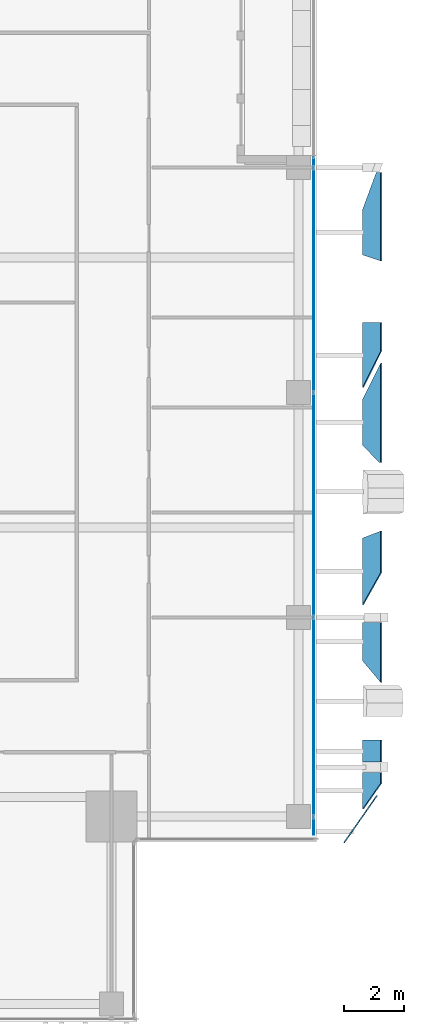
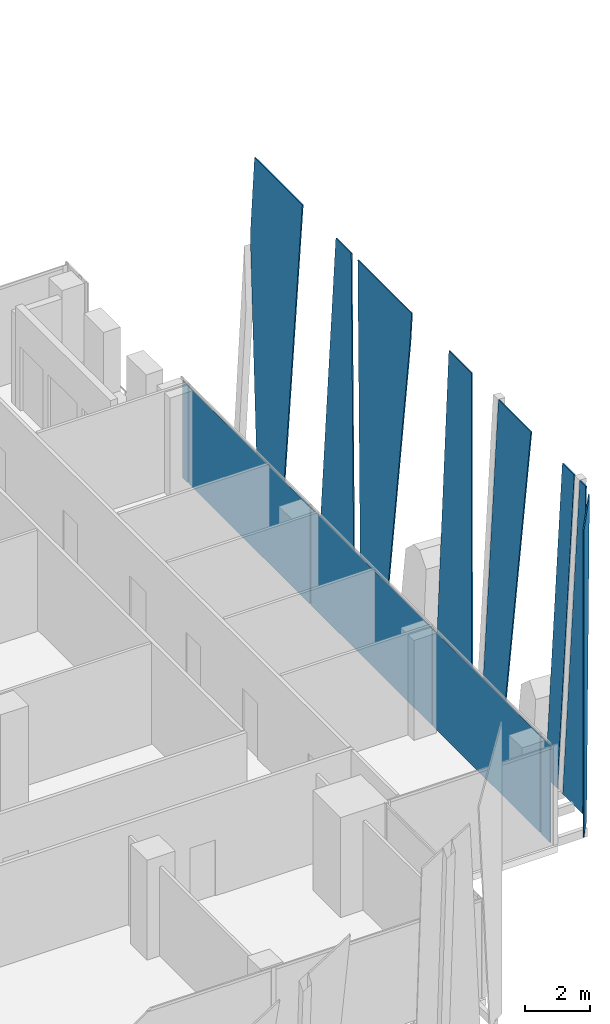
# One storey, part 23 of 33: 13 plates, 1 element without a shape of its own.
"""IFC4 building model written with IfcOpenShell, lengths in metres."""

from ifc_helpers import new_model, si_unit, direction, frame, origin, origin_2d, place, context, subcontext, project, spatial, polyline, rectangle, outline, extrude, source, transform, mapped, material, layer, layer_set, type_object, element, aggregate, save


model = new_model("IFC4")

# Units and contexts
model_context = context("Model", 3, precision=1e-05, world=origin(), true_north=direction((0.0, 1.0)))
body_context = subcontext(model_context, "Body", "Model", "MODEL_VIEW")
ifc_project = project(units=[si_unit("LENGTHUNIT", "METRE"), si_unit("AREAUNIT", "SQUARE_METRE"), si_unit("VOLUMEUNIT", "CUBIC_METRE"), si_unit("PLANEANGLEUNIT", "RADIAN"), si_unit("MASSUNIT", "GRAM", prefix="KILO")], contexts=[model_context])

# Site, building, storey
site_placement = place(None, origin())
site = spatial("IfcSite", under=ifc_project, at=site_placement, CompositionType="ELEMENT")
building_placement = place(site_placement, origin())
building = spatial("IfcBuilding", under=site, at=building_placement, Name="Khomas Fold Tower", CompositionType="ELEMENT")
storey_placement = place(building_placement, frame((0.0, 0.0, 294.199951171875)))
storey = spatial("IfcBuildingStorey", under=building, at=storey_placement, Name="L66", CompositionType="ELEMENT", Elevation=294.199951171875)

# Plates
ifc_material_1 = material(Name="Clear laminated glass", Category="glass")
ifc_layer_1 = layer(ifc_material_1, 0.0400390625)
ifc_layer_set_1 = layer_set([ifc_layer_1], Name="Clear laminated glass")
plate_type_1 = type_object("IfcPlateType", Name="SK-Clear laminated glass leaf", PredefinedType="SHEET", material=ifc_layer_set_1)
plate_1_placement = place(storey_placement, frame((49.52880859375, 13.1005859375, 0.0), z_axis=(-0.99862882819, 0.0, 0.052349436554), x_axis=(0.052203236477, 0.074684307669, 0.995839884866)))
element("IfcPlate", 1, at=plate_1_placement, inside=storey, type_object=plate_type_1, Name="OUTER SKIN glass L66 EG098-1", PredefinedType="SHEET", context=body_context, shape_type="SweptSolid", body=[
    extrude(outline(polyline([(0.0, 0.0), (11.598299087691387, -1.1102230246251565e-16), (11.625430496336698, 0.3622666880441585), (0.0918237728076459, 1.226058495289236), (0.0, 0.0)])), origin(), (0.0, 0.0, -1.0), 0.0400390625),
])
plate_2_placement = place(storey_placement, frame((49.52880859375, 15.39990234375, 0.0), z_axis=(-0.99862882819, 0.0, 0.052349436554), x_axis=(0.0, -1.0, 0.0)))
element("IfcPlate", 2, at=plate_2_placement, inside=storey, type_object=plate_type_1, Name="OUTER SKIN glass L66 EG099-3", PredefinedType="SHEET", context=body_context, shape_type="SweptSolid", body=[
    extrude(outline(polyline([(0.0, 0.0), (0.72998046875, 0.0), (0.72998046875, 11.565907674683308), (0.0, 11.565907674683308), (0.0, 0.0)])), origin(), (0.0, 0.0, -1.0), 0.0400390625),
])
plate_3_placement = place(storey_placement, frame((50.02685546875, 13.542724609375, 11.550048828125), z_axis=(0.819713110684, -0.572774315215, 1.421178e-06), x_axis=(-0.052183404227, -0.074683579092, -0.995840978941)))
element("IfcPlate", 3, at=plate_3_placement, inside=storey, type_object=plate_type_1, Name="OUTER SKIN glass L66 EG098-4", PredefinedType="SHEET", context=body_context, shape_type="SweptSolid", body=[
    extrude(outline(polyline([(0.0, 0.0), (11.598286345311536, 0.0), (11.676030395448207, -0.8497645864818859), (0.1740184636365796, -1.9020713156560525), (0.0, 0.0)])), origin(), (0.0, 0.0, -1.0), 0.0400390625),
])
plate_4_placement = place(storey_placement, frame((49.52880859375, 22.14306640625, 0.0), z_axis=(-0.99862882819, 0.0, 0.052349436554), x_axis=(0.0, -1.0, 0.0)))
element("IfcPlate", 4, at=plate_4_placement, inside=storey, type_object=plate_type_1, Name="OUTER SKIN glass L66 EG100-5", PredefinedType="SHEET", context=body_context, shape_type="SweptSolid", body=[
    extrude(outline(polyline([(0.0, 0.0), (2.22412109375, 0.0), (1.148193359375, 11.565907674683308), (-0.23388671875, 11.565907674683308), (0.0, 0.0)])), origin(), (0.0, 0.0, -1.0), 0.0400390625),
])
plate_5_placement = place(storey_placement, frame((49.52880859375, 18.05029296875, 0.0), z_axis=(-0.99862882819, 0.0, 0.052349436554), x_axis=(0.052247824406, -0.062276035864, 0.996690453552)))
element("IfcPlate", 5, at=plate_5_placement, inside=storey, type_object=plate_type_1, Name="OUTER SKIN glass L66 EG099-6", PredefinedType="SHEET", context=body_context, shape_type="SweptSolid", body=[
    extrude(outline(polyline([(0.0, 0.0), (11.588401180087285, 0.0), (11.46375788369695, 1.9975799281711264), (-0.079699946289112, 1.2773010470203763), (0.0, 0.0)])), origin(), (0.0, 0.0, -1.0), 0.0400390625),
])
plate_6_placement = place(storey_placement, frame((49.52880859375, 27.166015625, 0.0), z_axis=(-0.99862882819, 0.0, 0.052349436554), x_axis=(0.052061655064, 0.104711103008, 0.993139048159)))
element("IfcPlate", 6, at=plate_6_placement, inside=storey, type_object=plate_type_1, Name="OUTER SKIN glass L66 EG101-8", PredefinedType="SHEET", context=body_context, shape_type="SweptSolid", body=[
    extrude(outline(polyline([(0.0, 0.0), (11.629840604426994, 0.0), (11.728927575926036, 0.9410870107945792), (0.22660137135384995, 2.1521659607025674), (0.0, 0.0)])), origin(), (0.0, 0.0, -1.0), 0.0400390625),
])
plate_7_placement = place(storey_placement, frame((49.52880859375, 26.763916015625, 0.0), z_axis=(-0.998628782674, 1.7476426e-05, 0.052350301912), x_axis=(-1.7452462e-05, -0.999999999847, 9.14896e-07)))
element("IfcPlate", 7, at=plate_7_placement, inside=storey, type_object=plate_type_1, Name="OUTER SKIN glass L66 EG101-9", PredefinedType="SHEET", context=body_context, shape_type="SweptSolid", body=[
    extrude(outline(polyline([(0.0, 0.0), (1.520507812267799, 0.0), (2.0939941419562027, 10.485564446809263), (2.093994140480378, 11.565907674678964), (-1.2175292965139106, 11.565907674678964), (0.0, 0.0)])), origin(), (0.0, 0.0, -1.0), 0.0400390625),
])
plate_8_placement = place(storey_placement, frame((49.52880859375, 33.097900390625, 0.0), z_axis=(-0.998628742368, -1.5367096e-05, 0.052351071441), x_axis=(1.5346024e-05, -0.999999999882, -8.04484e-07)))
element("IfcPlate", 8, at=plate_8_placement, inside=storey, type_object=plate_type_1, Name="OUTER SKIN glass L66 EG102-11", PredefinedType="SHEET", context=body_context, shape_type="SweptSolid", body=[
    extrude(outline(polyline([(0.0, 0.0), (1.5078124998219669, -1.5964585822273434e-22), (1.7099609370071225, 11.565907674667809), (-1.232177734520488, 11.565907674667809), (-1.2321777355713335, 8.708470187126649), (0.0, 0.0)])), origin(), (0.0, 0.0, -1.0), 0.0400390625),
])

# Curtain wall, plates
ifc_material_2 = material(Name="Aluminium framed double glazing", Category="aluminium")
curtain_wall_type = type_object("IfcCurtainWallType", Name="SK-Unitised clear-glass wall, upper floors CW3", PredefinedType="NOTDEFINED", material=ifc_material_2)
curtain_wall_placement = place(storey_placement, origin())
curtain_wall = element("IfcCurtainWall", 9, at=curtain_wall_placement, inside=storey, type_object=curtain_wall_type, Name="CW3 run L66 03-0", PredefinedType="NOTDEFINED")
ifc_material_3 = material(Name="Clear double glazed unit")
ifc_layer_2 = layer(ifc_material_3, 0.028076171875)
ifc_layer_set_2 = layer_set([ifc_layer_2], Name="Clear double glazed unit")
plate_type_2 = type_object("IfcPlateType", Name="SK-Unitised clear-glass wall, upper floors glass panel CW3-P", PredefinedType="CURTAIN_PANEL", material=ifc_layer_set_2)
shared_shape_1 = source(origin(), body_context, "Body", "SweptSolid", [
    extrude(rectangle(XDim=0.574951171875, YDim=0.028076171875, at=origin_2d()), origin(), (0.0, 0.0, 1.0), 3.64990234375),
])
plate_9_placement = place(storey_placement, frame((47.89990234375, 12.53759765625, 0.0), z_axis=(0.0, 0.0, 1.0), x_axis=(0.0, 1.0, 0.0)))
plate_9 = element("IfcPlate", 10, at=plate_9_placement, type_object=plate_type_2, Name="CW3 glass panel 1", PredefinedType="CURTAIN_PANEL", context=body_context, shape_type="MappedRepresentation", body=[
    mapped(shared_shape_1, transform((0.0, 0.0, 0.0))),
])
shared_shape_2 = source(origin(), body_context, "Body", "SweptSolid", [
    extrude(rectangle(XDim=6.60009765625, YDim=0.028076171875, at=origin_2d()), origin(), (0.0, 0.0, 1.0), 3.64990234375),
])
plate_10_placement = place(storey_placement, frame((47.89990234375, 16.175048828125, 0.0), z_axis=(0.0, 0.0, 1.0), x_axis=(0.0, 1.0, 0.0)))
plate_10 = element("IfcPlate", 11, at=plate_10_placement, type_object=plate_type_2, Name="CW3 glass panel 2", PredefinedType="CURTAIN_PANEL", context=body_context, shape_type="MappedRepresentation", body=[
    mapped(shared_shape_2, transform((0.0, 0.0, 0.0))),
])
shared_shape_3 = source(origin(), body_context, "Body", "SweptSolid", [
    extrude(rectangle(XDim=7.449951171875, YDim=0.028076171875, at=origin_2d()), origin(), (0.0, 0.0, 1.0), 3.64990234375),
])
plate_11_placement = place(storey_placement, frame((47.89990234375, 23.25, 0.0), z_axis=(0.0, 0.0, 1.0), x_axis=(0.0, 1.0, 0.0)))
plate_11 = element("IfcPlate", 12, at=plate_11_placement, type_object=plate_type_2, Name="CW3 glass panel 3", PredefinedType="CURTAIN_PANEL", context=body_context, shape_type="MappedRepresentation", body=[
    mapped(shared_shape_3, transform((0.0, 0.0, 0.0))),
])
plate_12_placement = place(storey_placement, frame((47.89990234375, 30.75, 0.0), z_axis=(0.0, 0.0, 1.0), x_axis=(0.0, 1.0, 0.0)))
plate_12 = element("IfcPlate", 13, at=plate_12_placement, type_object=plate_type_2, Name="CW3 glass panel 4", PredefinedType="CURTAIN_PANEL", context=body_context, shape_type="MappedRepresentation", body=[
    mapped(shared_shape_3, transform((0.0, 0.0, 0.0))),
])
shared_shape_4 = source(origin(), body_context, "Body", "SweptSolid", [
    extrude(rectangle(XDim=0.324951171875, YDim=0.028076171875, at=origin_2d()), origin(), (0.0, 0.0, 1.0), 3.64990234375),
])
plate_13_placement = place(storey_placement, frame((47.89990234375, 34.6875, 0.0), z_axis=(0.0, 0.0, 1.0), x_axis=(0.0, 1.0, 0.0)))
plate_13 = element("IfcPlate", 14, at=plate_13_placement, type_object=plate_type_2, Name="CW3 glass panel 5", PredefinedType="CURTAIN_PANEL", context=body_context, shape_type="MappedRepresentation", body=[
    mapped(shared_shape_4, transform((0.0, 0.0, 0.0))),
])
aggregate(curtain_wall, [plate_9, plate_10, plate_11, plate_12, plate_13])

save(model, "model.ifc")
